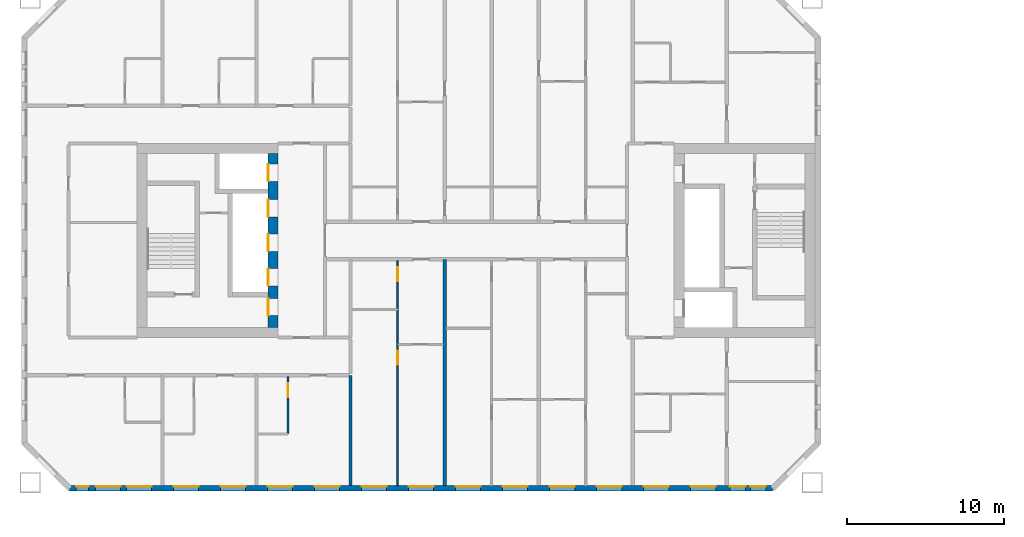
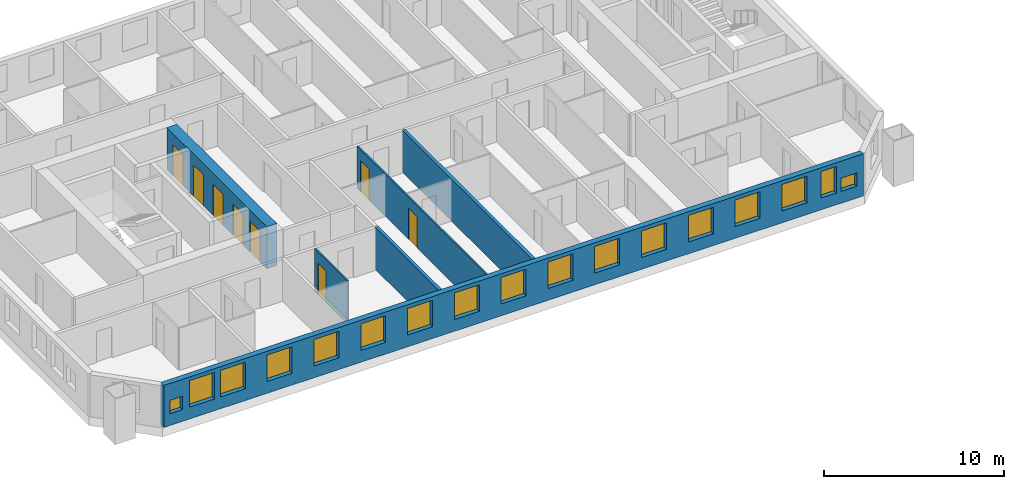
# One storey, part 3 of 16: 17 windows, 8 doors, 6 walls, 25 openings.
"""IFC4 building model written with IfcOpenShell, lengths in metres."""

from ifc_helpers import new_model, si_unit, direction, frame, frame_2d, origin, place, context, subcontext, project, spatial, rectangle, extrude, material, layer, layer_set, type_object, element, fill, save


model = new_model("IFC4")

# Units and contexts
model_context = context("Model", 3, precision=1e-05, world=origin(), true_north=direction((0.0, 1.0)))
body_context = subcontext(model_context, "Body", "Model", "MODEL_VIEW")
ifc_project = project(units=[si_unit("LENGTHUNIT", "METRE"), si_unit("AREAUNIT", "SQUARE_METRE"), si_unit("VOLUMEUNIT", "CUBIC_METRE"), si_unit("PLANEANGLEUNIT", "RADIAN"), si_unit("MASSUNIT", "GRAM", prefix="KILO")], contexts=[model_context])

# Site, building, storey
site_placement = place(None, origin())
site = spatial("IfcSite", under=ifc_project, at=site_placement, CompositionType="ELEMENT")
building_placement = place(site_placement, origin())
building = spatial("IfcBuilding", under=site, at=building_placement, Name="Tuart Gate Housing", CompositionType="ELEMENT")
storey_placement = place(building_placement, frame((0.0, 0.0, 96.39990234375)))
storey = spatial("IfcBuildingStorey", under=building, at=storey_placement, Name="L26", CompositionType="ELEMENT", Elevation=96.39990234375)

# Wall, openings, windows
ifc_material_1 = material(Name="Brick", Category="masonry")
ifc_layer_1 = layer(ifc_material_1, 0.360107421875)
ifc_layer_set_1 = layer_set([ifc_layer_1], Name="Brick pier and spandrel wall 360")
wall_type_1 = type_object("IfcWallType", Name="Brick pier and spandrel wall 360", PredefinedType="STANDARD", material=ifc_layer_set_1)
wall_1_placement = place(storey_placement, frame((28.07470703125, 54.179931640625, 0.0), z_axis=(0.0, 0.0, 1.0), x_axis=(1.0, 0.0, 0.0)))
wall_1 = element("IfcWall", 1, at=wall_1_placement, inside=storey, type_object=wall_type_1, Name="External wall A-S L26", PredefinedType="STANDARD", context=body_context, shape_type="SweptSolid", body=[
    extrude(rectangle(XDim=44.850830078125, YDim=0.360107421875, at=frame_2d((22.42529296875, 0.0))), origin(), (0.0, 0.0, 1.0), 2.85009765625),
])
opening_1_placement = place(wall_1_placement, frame((0.39990234375, 0.0, 0.800048828125)))
opening_1 = element("IfcOpeningElement", 2, at=opening_1_placement, cuts=wall_1, Name="Opening W1V", PredefinedType="OPENING", context=body_context, shape_type="SweptSolid", body=[
    extrude(rectangle(XDim=0.800048828125, YDim=0.89990234375, at=frame_2d((0.39990234375, 0.449951171875))), frame((0.0, 0.18994140625, 0.0), z_axis=(0.0, -1.0, 0.0), x_axis=(1.0, 0.0, 0.0)), (0.0, 0.0, 1.0), 0.380126953125),
])
opening_2_placement = place(wall_1_placement, frame((3.62548828125, 0.0, 0.800048828125)))
opening_2 = element("IfcOpeningElement", 3, at=opening_2_placement, cuts=wall_1, Name="Opening W1", PredefinedType="OPENING", context=body_context, shape_type="SweptSolid", body=[
    extrude(rectangle(XDim=1.60009765625, YDim=1.800048828125, at=frame_2d((0.800048828125, 0.89990234375))), frame((0.0, 0.18994140625, 0.0), z_axis=(0.0, -1.0, 0.0), x_axis=(1.0, 0.0, 0.0)), (0.0, 0.0, 1.0), 0.380126953125),
])
opening_3_placement = place(wall_1_placement, frame((6.62548828125, 0.0, 0.800048828125)))
opening_3 = element("IfcOpeningElement", 4, at=opening_3_placement, cuts=wall_1, Name="Opening W1", PredefinedType="OPENING", context=body_context, shape_type="SweptSolid", body=[
    extrude(rectangle(XDim=1.60009765625, YDim=1.800048828125, at=frame_2d((0.800048828125, 0.89990234375))), frame((0.0, 0.18994140625, 0.0), z_axis=(0.0, -1.0, 0.0), x_axis=(1.0, 0.0, 0.0)), (0.0, 0.0, 1.0), 0.380126953125),
])
opening_4_placement = place(wall_1_placement, frame((9.62548828125, 0.0, 0.800048828125)))
opening_4 = element("IfcOpeningElement", 5, at=opening_4_placement, cuts=wall_1, Name="Opening W1", PredefinedType="OPENING", context=body_context, shape_type="SweptSolid", body=[
    extrude(rectangle(XDim=1.60009765625, YDim=1.800048828125, at=frame_2d((0.800048828125, 0.89990234375))), frame((0.0, 0.18994140625, 0.0), z_axis=(0.0, -1.0, 0.0), x_axis=(1.0, 0.0, 0.0)), (0.0, 0.0, 1.0), 0.380126953125),
])
opening_5_placement = place(wall_1_placement, frame((12.62548828125, 0.0, 0.800048828125)))
opening_5 = element("IfcOpeningElement", 6, at=opening_5_placement, cuts=wall_1, Name="Opening W1", PredefinedType="OPENING", context=body_context, shape_type="SweptSolid", body=[
    extrude(rectangle(XDim=1.60009765625, YDim=1.800048828125, at=frame_2d((0.800048828125, 0.89990234375))), frame((0.0, 0.18994140625, 0.0), z_axis=(0.0, -1.0, 0.0), x_axis=(1.0, 0.0, 0.0)), (0.0, 0.0, 1.0), 0.380126953125),
])
opening_6_placement = place(wall_1_placement, frame((15.62548828125, 0.0, 0.800048828125)))
opening_6 = element("IfcOpeningElement", 7, at=opening_6_placement, cuts=wall_1, Name="Opening W1", PredefinedType="OPENING", context=body_context, shape_type="SweptSolid", body=[
    extrude(rectangle(XDim=1.60009765625, YDim=1.800048828125, at=frame_2d((0.800048828125, 0.89990234375))), frame((0.0, 0.18994140625, 0.0), z_axis=(0.0, -1.0, 0.0), x_axis=(1.0, 0.0, 0.0)), (0.0, 0.0, 1.0), 0.380126953125),
])
opening_7_placement = place(wall_1_placement, frame((18.62548828125, 0.0, 0.800048828125)))
opening_7 = element("IfcOpeningElement", 8, at=opening_7_placement, cuts=wall_1, Name="Opening W1", PredefinedType="OPENING", context=body_context, shape_type="SweptSolid", body=[
    extrude(rectangle(XDim=1.60009765625, YDim=1.800048828125, at=frame_2d((0.800048828125, 0.89990234375))), frame((0.0, 0.18994140625, 0.0), z_axis=(0.0, -1.0, 0.0), x_axis=(1.0, 0.0, 0.0)), (0.0, 0.0, 1.0), 0.380126953125),
])
opening_8_placement = place(wall_1_placement, frame((21.62548828125, 0.0, 0.800048828125)))
opening_8 = element("IfcOpeningElement", 9, at=opening_8_placement, cuts=wall_1, Name="Opening W1", PredefinedType="OPENING", context=body_context, shape_type="SweptSolid", body=[
    extrude(rectangle(XDim=1.60009765625, YDim=1.800048828125, at=frame_2d((0.800048828125, 0.89990234375))), frame((0.0, 0.18994140625, 0.0), z_axis=(0.0, -1.0, 0.0), x_axis=(1.0, 0.0, 0.0)), (0.0, 0.0, 1.0), 0.380126953125),
])
opening_9_placement = place(wall_1_placement, frame((24.62548828125, 0.0, 0.800048828125)))
opening_9 = element("IfcOpeningElement", 10, at=opening_9_placement, cuts=wall_1, Name="Opening W1", PredefinedType="OPENING", context=body_context, shape_type="SweptSolid", body=[
    extrude(rectangle(XDim=1.60009765625, YDim=1.800048828125, at=frame_2d((0.800048828125, 0.89990234375))), frame((0.0, 0.18994140625, 0.0), z_axis=(0.0, -1.0, 0.0), x_axis=(1.0, 0.0, 0.0)), (0.0, 0.0, 1.0), 0.380126953125),
])
opening_10_placement = place(wall_1_placement, frame((27.62548828125, 0.0, 0.800048828125)))
opening_10 = element("IfcOpeningElement", 11, at=opening_10_placement, cuts=wall_1, Name="Opening W1", PredefinedType="OPENING", context=body_context, shape_type="SweptSolid", body=[
    extrude(rectangle(XDim=1.60009765625, YDim=1.800048828125, at=frame_2d((0.800048828125, 0.89990234375))), frame((0.0, 0.18994140625, 0.0), z_axis=(0.0, -1.0, 0.0), x_axis=(1.0, 0.0, 0.0)), (0.0, 0.0, 1.0), 0.380126953125),
])
opening_11_placement = place(wall_1_placement, frame((30.62548828125, 0.0, 0.800048828125)))
opening_11 = element("IfcOpeningElement", 12, at=opening_11_placement, cuts=wall_1, Name="Opening W1", PredefinedType="OPENING", context=body_context, shape_type="SweptSolid", body=[
    extrude(rectangle(XDim=1.60009765625, YDim=1.800048828125, at=frame_2d((0.800048828125, 0.89990234375))), frame((0.0, 0.18994140625, 0.0), z_axis=(0.0, -1.0, 0.0), x_axis=(1.0, 0.0, 0.0)), (0.0, 0.0, 1.0), 0.380126953125),
])
opening_12_placement = place(wall_1_placement, frame((33.62548828125, 0.0, 0.800048828125)))
opening_12 = element("IfcOpeningElement", 13, at=opening_12_placement, cuts=wall_1, Name="Opening W1", PredefinedType="OPENING", context=body_context, shape_type="SweptSolid", body=[
    extrude(rectangle(XDim=1.60009765625, YDim=1.800048828125, at=frame_2d((0.800048828125, 0.89990234375))), frame((0.0, 0.18994140625, 0.0), z_axis=(0.0, -1.0, 0.0), x_axis=(1.0, 0.0, 0.0)), (0.0, 0.0, 1.0), 0.380126953125),
])
opening_13_placement = place(wall_1_placement, frame((36.62548828125, 0.0, 0.800048828125)))
opening_13 = element("IfcOpeningElement", 14, at=opening_13_placement, cuts=wall_1, Name="Opening W1", PredefinedType="OPENING", context=body_context, shape_type="SweptSolid", body=[
    extrude(rectangle(XDim=1.60009765625, YDim=1.800048828125, at=frame_2d((0.800048828125, 0.89990234375))), frame((0.0, 0.18994140625, 0.0), z_axis=(0.0, -1.0, 0.0), x_axis=(1.0, 0.0, 0.0)), (0.0, 0.0, 1.0), 0.380126953125),
])
opening_14_placement = place(wall_1_placement, frame((39.62548828125, 0.0, 0.800048828125)))
opening_14 = element("IfcOpeningElement", 15, at=opening_14_placement, cuts=wall_1, Name="Opening W1", PredefinedType="OPENING", context=body_context, shape_type="SweptSolid", body=[
    extrude(rectangle(XDim=1.60009765625, YDim=1.800048828125, at=frame_2d((0.800048828125, 0.89990234375))), frame((0.0, 0.18994140625, 0.0), z_axis=(0.0, -1.0, 0.0), x_axis=(1.0, 0.0, 0.0)), (0.0, 0.0, 1.0), 0.380126953125),
])
opening_15_placement = place(wall_1_placement, frame((42.12548828125, 0.0, 0.800048828125)))
opening_15 = element("IfcOpeningElement", 16, at=opening_15_placement, cuts=wall_1, Name="Opening W1C", PredefinedType="OPENING", context=body_context, shape_type="SweptSolid", body=[
    extrude(rectangle(XDim=1.0, YDim=1.800048828125, at=frame_2d((0.5, 0.89990234375))), frame((0.0, 0.18994140625, 0.0), z_axis=(0.0, -1.0, 0.0), x_axis=(1.0, 0.0, 0.0)), (0.0, 0.0, 1.0), 0.380126953125),
])
opening_16_placement = place(wall_1_placement, frame((1.64990234375, 0.0, 0.800048828125)))
opening_16 = element("IfcOpeningElement", 17, at=opening_16_placement, cuts=wall_1, Name="Opening W1", PredefinedType="OPENING", context=body_context, shape_type="SweptSolid", body=[
    extrude(rectangle(XDim=1.60009765625, YDim=1.800048828125, at=frame_2d((0.800048828125, 0.89990234375))), frame((0.0, 0.18994140625, 0.0), z_axis=(0.0, -1.0, 0.0), x_axis=(1.0, 0.0, 0.0)), (0.0, 0.0, 1.0), 0.380126953125),
])
opening_17_placement = place(wall_1_placement, frame((43.42529296875, 0.0, 0.800048828125)))
opening_17 = element("IfcOpeningElement", 18, at=opening_17_placement, cuts=wall_1, Name="Opening W1U", PredefinedType="OPENING", context=body_context, shape_type="SweptSolid", body=[
    extrude(rectangle(XDim=1.0, YDim=0.89990234375, at=frame_2d((0.5, 0.449951171875))), frame((0.0, 0.18994140625, 0.0), z_axis=(0.0, -1.0, 0.0), x_axis=(1.0, 0.0, 0.0)), (0.0, 0.0, 1.0), 0.380126953125),
])
ifc_material_2 = material(Name="Aluminium frame with clear glass", Category="aluminium")
window_type_1 = type_object("IfcWindowType", Name="Punched window 1000 x 1800", PartitioningType="SINGLE_PANEL", PredefinedType="WINDOW", material=ifc_material_2)
window_1_placement = place(opening_15_placement, origin())
window_1 = element("IfcWindow", 19, at=window_1_placement, inside=storey, type_object=window_type_1, Name="Window W1C", OverallHeight=1.800048828125, OverallWidth=1.0, PartitioningType="SINGLE_PANEL", PredefinedType="WINDOW", context=body_context, shape_type="SweptSolid", body=[
    extrude(rectangle(XDim=1.0, YDim=1.800048828125, at=frame_2d((0.5, 0.89990234375))), frame((0.0, 0.150146484375, 0.0), z_axis=(0.0, -1.0, 0.0), x_axis=(1.0, 0.0, 0.0)), (0.0, 0.0, 1.0), 0.06005859375),
])
fill(opening_15, window_1)
ifc_material_3 = material(Name="Aluminium frame with clear glass", Category="aluminium")
window_type_2 = type_object("IfcWindowType", Name="Punched window 1000 x 900", PartitioningType="SINGLE_PANEL", PredefinedType="WINDOW", material=ifc_material_3)
window_2_placement = place(opening_17_placement, origin())
window_2 = element("IfcWindow", 20, at=window_2_placement, inside=storey, type_object=window_type_2, Name="Window W1U", OverallHeight=0.89990234375, OverallWidth=1.0, PartitioningType="SINGLE_PANEL", PredefinedType="WINDOW", context=body_context, shape_type="SweptSolid", body=[
    extrude(rectangle(XDim=1.0, YDim=0.89990234375, at=frame_2d((0.5, 0.449951171875))), frame((0.0, 0.150146484375, 0.0), z_axis=(0.0, -1.0, 0.0), x_axis=(1.0, 0.0, 0.0)), (0.0, 0.0, 1.0), 0.06005859375),
])
fill(opening_17, window_2)
ifc_material_4 = material(Name="Aluminium frame with clear glass", Category="aluminium")
window_type_3 = type_object("IfcWindowType", Name="Punched window 1600 x 1800", PartitioningType="SINGLE_PANEL", PredefinedType="WINDOW", material=ifc_material_4)
window_3_placement = place(opening_2_placement, origin())
window_3 = element("IfcWindow", 21, at=window_3_placement, inside=storey, type_object=window_type_3, Name="Window W1", OverallHeight=1.800048828125, OverallWidth=1.60009765625, PartitioningType="SINGLE_PANEL", PredefinedType="WINDOW", context=body_context, shape_type="SweptSolid", body=[
    extrude(rectangle(XDim=1.60009765625, YDim=1.800048828125, at=frame_2d((0.800048828125, 0.89990234375))), frame((0.0, 0.150146484375, 0.0), z_axis=(0.0, -1.0, 0.0), x_axis=(1.0, 0.0, 0.0)), (0.0, 0.0, 1.0), 0.06005859375),
])
fill(opening_2, window_3)
window_4_placement = place(opening_3_placement, origin())
window_4 = element("IfcWindow", 22, at=window_4_placement, inside=storey, type_object=window_type_3, Name="Window W1", OverallHeight=1.800048828125, OverallWidth=1.60009765625, PartitioningType="SINGLE_PANEL", PredefinedType="WINDOW", context=body_context, shape_type="SweptSolid", body=[
    extrude(rectangle(XDim=1.60009765625, YDim=1.800048828125, at=frame_2d((0.800048828125, 0.89990234375))), frame((0.0, 0.150146484375, 0.0), z_axis=(0.0, -1.0, 0.0), x_axis=(1.0, 0.0, 0.0)), (0.0, 0.0, 1.0), 0.06005859375),
])
fill(opening_3, window_4)
window_5_placement = place(opening_4_placement, origin())
window_5 = element("IfcWindow", 23, at=window_5_placement, inside=storey, type_object=window_type_3, Name="Window W1", OverallHeight=1.800048828125, OverallWidth=1.60009765625, PartitioningType="SINGLE_PANEL", PredefinedType="WINDOW", context=body_context, shape_type="SweptSolid", body=[
    extrude(rectangle(XDim=1.60009765625, YDim=1.800048828125, at=frame_2d((0.800048828125, 0.89990234375))), frame((0.0, 0.150146484375, 0.0), z_axis=(0.0, -1.0, 0.0), x_axis=(1.0, 0.0, 0.0)), (0.0, 0.0, 1.0), 0.06005859375),
])
fill(opening_4, window_5)
window_6_placement = place(opening_5_placement, origin())
window_6 = element("IfcWindow", 24, at=window_6_placement, inside=storey, type_object=window_type_3, Name="Window W1", OverallHeight=1.800048828125, OverallWidth=1.60009765625, PartitioningType="SINGLE_PANEL", PredefinedType="WINDOW", context=body_context, shape_type="SweptSolid", body=[
    extrude(rectangle(XDim=1.60009765625, YDim=1.800048828125, at=frame_2d((0.800048828125, 0.89990234375))), frame((0.0, 0.150146484375, 0.0), z_axis=(0.0, -1.0, 0.0), x_axis=(1.0, 0.0, 0.0)), (0.0, 0.0, 1.0), 0.06005859375),
])
fill(opening_5, window_6)
window_7_placement = place(opening_6_placement, origin())
window_7 = element("IfcWindow", 25, at=window_7_placement, inside=storey, type_object=window_type_3, Name="Window W1", OverallHeight=1.800048828125, OverallWidth=1.60009765625, PartitioningType="SINGLE_PANEL", PredefinedType="WINDOW", context=body_context, shape_type="SweptSolid", body=[
    extrude(rectangle(XDim=1.60009765625, YDim=1.800048828125, at=frame_2d((0.800048828125, 0.89990234375))), frame((0.0, 0.150146484375, 0.0), z_axis=(0.0, -1.0, 0.0), x_axis=(1.0, 0.0, 0.0)), (0.0, 0.0, 1.0), 0.06005859375),
])
fill(opening_6, window_7)
window_8_placement = place(opening_7_placement, origin())
window_8 = element("IfcWindow", 26, at=window_8_placement, inside=storey, type_object=window_type_3, Name="Window W1", OverallHeight=1.800048828125, OverallWidth=1.60009765625, PartitioningType="SINGLE_PANEL", PredefinedType="WINDOW", context=body_context, shape_type="SweptSolid", body=[
    extrude(rectangle(XDim=1.60009765625, YDim=1.800048828125, at=frame_2d((0.800048828125, 0.89990234375))), frame((0.0, 0.150146484375, 0.0), z_axis=(0.0, -1.0, 0.0), x_axis=(1.0, 0.0, 0.0)), (0.0, 0.0, 1.0), 0.06005859375),
])
fill(opening_7, window_8)
window_9_placement = place(opening_8_placement, origin())
window_9 = element("IfcWindow", 27, at=window_9_placement, inside=storey, type_object=window_type_3, Name="Window W1", OverallHeight=1.800048828125, OverallWidth=1.60009765625, PartitioningType="SINGLE_PANEL", PredefinedType="WINDOW", context=body_context, shape_type="SweptSolid", body=[
    extrude(rectangle(XDim=1.60009765625, YDim=1.800048828125, at=frame_2d((0.800048828125, 0.89990234375))), frame((0.0, 0.150146484375, 0.0), z_axis=(0.0, -1.0, 0.0), x_axis=(1.0, 0.0, 0.0)), (0.0, 0.0, 1.0), 0.06005859375),
])
fill(opening_8, window_9)
window_10_placement = place(opening_9_placement, origin())
window_10 = element("IfcWindow", 28, at=window_10_placement, inside=storey, type_object=window_type_3, Name="Window W1", OverallHeight=1.800048828125, OverallWidth=1.60009765625, PartitioningType="SINGLE_PANEL", PredefinedType="WINDOW", context=body_context, shape_type="SweptSolid", body=[
    extrude(rectangle(XDim=1.60009765625, YDim=1.800048828125, at=frame_2d((0.800048828125, 0.89990234375))), frame((0.0, 0.150146484375, 0.0), z_axis=(0.0, -1.0, 0.0), x_axis=(1.0, 0.0, 0.0)), (0.0, 0.0, 1.0), 0.06005859375),
])
fill(opening_9, window_10)
window_11_placement = place(opening_10_placement, origin())
window_11 = element("IfcWindow", 29, at=window_11_placement, inside=storey, type_object=window_type_3, Name="Window W1", OverallHeight=1.800048828125, OverallWidth=1.60009765625, PartitioningType="SINGLE_PANEL", PredefinedType="WINDOW", context=body_context, shape_type="SweptSolid", body=[
    extrude(rectangle(XDim=1.60009765625, YDim=1.800048828125, at=frame_2d((0.800048828125, 0.89990234375))), frame((0.0, 0.150146484375, 0.0), z_axis=(0.0, -1.0, 0.0), x_axis=(1.0, 0.0, 0.0)), (0.0, 0.0, 1.0), 0.06005859375),
])
fill(opening_10, window_11)
window_12_placement = place(opening_11_placement, origin())
window_12 = element("IfcWindow", 30, at=window_12_placement, inside=storey, type_object=window_type_3, Name="Window W1", OverallHeight=1.800048828125, OverallWidth=1.60009765625, PartitioningType="SINGLE_PANEL", PredefinedType="WINDOW", context=body_context, shape_type="SweptSolid", body=[
    extrude(rectangle(XDim=1.60009765625, YDim=1.800048828125, at=frame_2d((0.800048828125, 0.89990234375))), frame((0.0, 0.150146484375, 0.0), z_axis=(0.0, -1.0, 0.0), x_axis=(1.0, 0.0, 0.0)), (0.0, 0.0, 1.0), 0.06005859375),
])
fill(opening_11, window_12)
window_13_placement = place(opening_12_placement, origin())
window_13 = element("IfcWindow", 31, at=window_13_placement, inside=storey, type_object=window_type_3, Name="Window W1", OverallHeight=1.800048828125, OverallWidth=1.60009765625, PartitioningType="SINGLE_PANEL", PredefinedType="WINDOW", context=body_context, shape_type="SweptSolid", body=[
    extrude(rectangle(XDim=1.60009765625, YDim=1.800048828125, at=frame_2d((0.800048828125, 0.89990234375))), frame((0.0, 0.150146484375, 0.0), z_axis=(0.0, -1.0, 0.0), x_axis=(1.0, 0.0, 0.0)), (0.0, 0.0, 1.0), 0.06005859375),
])
fill(opening_12, window_13)
window_14_placement = place(opening_13_placement, origin())
window_14 = element("IfcWindow", 32, at=window_14_placement, inside=storey, type_object=window_type_3, Name="Window W1", OverallHeight=1.800048828125, OverallWidth=1.60009765625, PartitioningType="SINGLE_PANEL", PredefinedType="WINDOW", context=body_context, shape_type="SweptSolid", body=[
    extrude(rectangle(XDim=1.60009765625, YDim=1.800048828125, at=frame_2d((0.800048828125, 0.89990234375))), frame((0.0, 0.150146484375, 0.0), z_axis=(0.0, -1.0, 0.0), x_axis=(1.0, 0.0, 0.0)), (0.0, 0.0, 1.0), 0.06005859375),
])
fill(opening_13, window_14)
window_15_placement = place(opening_14_placement, origin())
window_15 = element("IfcWindow", 33, at=window_15_placement, inside=storey, type_object=window_type_3, Name="Window W1", OverallHeight=1.800048828125, OverallWidth=1.60009765625, PartitioningType="SINGLE_PANEL", PredefinedType="WINDOW", context=body_context, shape_type="SweptSolid", body=[
    extrude(rectangle(XDim=1.60009765625, YDim=1.800048828125, at=frame_2d((0.800048828125, 0.89990234375))), frame((0.0, 0.150146484375, 0.0), z_axis=(0.0, -1.0, 0.0), x_axis=(1.0, 0.0, 0.0)), (0.0, 0.0, 1.0), 0.06005859375),
])
fill(opening_14, window_15)
window_16_placement = place(opening_16_placement, origin())
window_16 = element("IfcWindow", 34, at=window_16_placement, inside=storey, type_object=window_type_3, Name="Window W1", OverallHeight=1.800048828125, OverallWidth=1.60009765625, PartitioningType="SINGLE_PANEL", PredefinedType="WINDOW", context=body_context, shape_type="SweptSolid", body=[
    extrude(rectangle(XDim=1.60009765625, YDim=1.800048828125, at=frame_2d((0.800048828125, 0.89990234375))), frame((0.0, 0.150146484375, 0.0), z_axis=(0.0, -1.0, 0.0), x_axis=(1.0, 0.0, 0.0)), (0.0, 0.0, 1.0), 0.06005859375),
])
fill(opening_16, window_16)
ifc_material_5 = material(Name="Aluminium frame with clear glass", Category="aluminium")
window_type_4 = type_object("IfcWindowType", Name="Punched window 800 x 900", PartitioningType="SINGLE_PANEL", PredefinedType="WINDOW", material=ifc_material_5)
window_17_placement = place(opening_1_placement, origin())
window_17 = element("IfcWindow", 35, at=window_17_placement, inside=storey, type_object=window_type_4, Name="Window W1V", OverallHeight=0.89990234375, OverallWidth=0.800048828125, PartitioningType="SINGLE_PANEL", PredefinedType="WINDOW", context=body_context, shape_type="SweptSolid", body=[
    extrude(rectangle(XDim=0.800048828125, YDim=0.89990234375, at=frame_2d((0.39990234375, 0.449951171875))), frame((0.0, 0.150146484375, 0.0), z_axis=(0.0, -1.0, 0.0), x_axis=(1.0, 0.0, 0.0)), (0.0, 0.0, 1.0), 0.06005859375),
])
fill(opening_1, window_17)

# Wall, openings, doors
ifc_material_6 = material(Name="Concrete C50", Category="concrete")
ifc_layer_2 = layer(ifc_material_6, 0.64990234375)
ifc_layer_set_2 = layer_set([ifc_layer_2], Name="Core wall 650 C50")
wall_type_2 = type_object("IfcWallType", Name="Core wall 650 C50", PredefinedType="SHEAR", material=ifc_layer_set_2)
wall_2_placement = place(storey_placement, frame((41.034912109375, 75.550048828125, 0.0), z_axis=(0.0, 0.0, 1.0), x_axis=(0.0, -1.0, 0.0)))
wall_2 = element("IfcWall", 36, at=wall_2_placement, inside=storey, type_object=wall_type_2, Name="Core wall AK front", PredefinedType="SHEAR", context=body_context, shape_type="SweptSolid", body=[
    extrude(rectangle(XDim=11.10009765625, YDim=0.64990234375, at=frame_2d((5.550048828125, 0.0))), origin(), (0.0, 0.0, 1.0), 2.85009765625),
])
opening_18_placement = place(wall_2_placement, frame((0.675048828125, 0.0, 0.0)))
opening_18 = element("IfcOpeningElement", 37, at=opening_18_placement, cuts=wall_2, Name="Opening LD-FA2", PredefinedType="OPENING", context=body_context, shape_type="SweptSolid", body=[
    extrude(rectangle(XDim=1.10009765625, YDim=2.10009765625, at=frame_2d((0.550048828125, 1.050048828125))), frame((0.0, 0.3349609375, 0.0), z_axis=(0.0, -1.0, 0.0), x_axis=(1.0, 0.0, 0.0)), (0.0, 0.0, 1.0), 0.669921875),
])
opening_19_placement = place(wall_2_placement, frame((2.949951171875, 0.0, 0.0)))
opening_19 = element("IfcOpeningElement", 38, at=opening_19_placement, cuts=wall_2, Name="Opening LD-LA4", PredefinedType="OPENING", context=body_context, shape_type="SweptSolid", body=[
    extrude(rectangle(XDim=1.10009765625, YDim=2.10009765625, at=frame_2d((0.550048828125, 1.050048828125))), frame((0.0, 0.3349609375, 0.0), z_axis=(0.0, -1.0, 0.0), x_axis=(1.0, 0.0, 0.0)), (0.0, 0.0, 1.0), 0.669921875),
])
opening_20_placement = place(wall_2_placement, frame((5.14990234375, 0.0, 0.0)))
opening_20 = element("IfcOpeningElement", 39, at=opening_20_placement, cuts=wall_2, Name="Opening LD-LA5", PredefinedType="OPENING", context=body_context, shape_type="SweptSolid", body=[
    extrude(rectangle(XDim=1.10009765625, YDim=2.10009765625, at=frame_2d((0.550048828125, 1.050048828125))), frame((0.0, 0.3349609375, 0.0), z_axis=(0.0, -1.0, 0.0), x_axis=(1.0, 0.0, 0.0)), (0.0, 0.0, 1.0), 0.669921875),
])
opening_21_placement = place(wall_2_placement, frame((7.35009765625, 0.0, 0.0)))
opening_21 = element("IfcOpeningElement", 40, at=opening_21_placement, cuts=wall_2, Name="Opening LD-LA6", PredefinedType="OPENING", context=body_context, shape_type="SweptSolid", body=[
    extrude(rectangle(XDim=1.10009765625, YDim=2.10009765625, at=frame_2d((0.550048828125, 1.050048828125))), frame((0.0, 0.3349609375, 0.0), z_axis=(0.0, -1.0, 0.0), x_axis=(1.0, 0.0, 0.0)), (0.0, 0.0, 1.0), 0.669921875),
])
opening_22_placement = place(wall_2_placement, frame((9.25, 0.0, 0.0)))
opening_22 = element("IfcOpeningElement", 41, at=opening_22_placement, cuts=wall_2, Name="Opening D1094", PredefinedType="OPENING", context=body_context, shape_type="SweptSolid", body=[
    extrude(rectangle(XDim=1.10009765625, YDim=2.10009765625, at=frame_2d((0.550048828125, 1.050048828125))), frame((0.0, 0.3349609375, 0.0), z_axis=(0.0, -1.0, 0.0), x_axis=(1.0, 0.0, 0.0)), (0.0, 0.0, 1.0), 0.669921875),
])
ifc_material_7 = material(Name="Stainless steel", Category="steel")
door_type_1 = type_object("IfcDoorType", Name="Landing door 1100 x 2100", OperationType="DOUBLE_DOOR_SLIDING", PredefinedType="DOOR", material=ifc_material_7)
door_1_placement = place(opening_18_placement, origin())
door_1 = element("IfcDoor", 42, at=door_1_placement, inside=storey, type_object=door_type_1, Name="Lift landing door FA2", OperationType="DOUBLE_DOOR_SLIDING", OverallHeight=2.10009765625, OverallWidth=1.10009765625, PredefinedType="DOOR", context=body_context, shape_type="SweptSolid", body=[
    extrude(rectangle(XDim=1.10009765625, YDim=2.10009765625, at=frame_2d((0.550048828125, 1.050048828125))), frame((0.0, -0.259765625, 0.0), z_axis=(0.0, -1.0, 0.0), x_axis=(1.0, 0.0, 0.0)), (0.0, 0.0, 1.0), 0.050048828125),
])
fill(opening_18, door_1)
door_2_placement = place(opening_19_placement, origin())
door_2 = element("IfcDoor", 43, at=door_2_placement, inside=storey, type_object=door_type_1, Name="Lift landing door LA4", OperationType="DOUBLE_DOOR_SLIDING", OverallHeight=2.10009765625, OverallWidth=1.10009765625, PredefinedType="DOOR", context=body_context, shape_type="SweptSolid", body=[
    extrude(rectangle(XDim=1.10009765625, YDim=2.10009765625, at=frame_2d((0.550048828125, 1.050048828125))), frame((0.0, -0.259765625, 0.0), z_axis=(0.0, -1.0, 0.0), x_axis=(1.0, 0.0, 0.0)), (0.0, 0.0, 1.0), 0.050048828125),
])
fill(opening_19, door_2)
door_3_placement = place(opening_20_placement, origin())
door_3 = element("IfcDoor", 44, at=door_3_placement, inside=storey, type_object=door_type_1, Name="Lift landing door LA5", OperationType="DOUBLE_DOOR_SLIDING", OverallHeight=2.10009765625, OverallWidth=1.10009765625, PredefinedType="DOOR", context=body_context, shape_type="SweptSolid", body=[
    extrude(rectangle(XDim=1.10009765625, YDim=2.10009765625, at=frame_2d((0.550048828125, 1.050048828125))), frame((0.0, -0.259765625, 0.0), z_axis=(0.0, -1.0, 0.0), x_axis=(1.0, 0.0, 0.0)), (0.0, 0.0, 1.0), 0.050048828125),
])
fill(opening_20, door_3)
door_4_placement = place(opening_21_placement, origin())
door_4 = element("IfcDoor", 45, at=door_4_placement, inside=storey, type_object=door_type_1, Name="Lift landing door LA6", OperationType="DOUBLE_DOOR_SLIDING", OverallHeight=2.10009765625, OverallWidth=1.10009765625, PredefinedType="DOOR", context=body_context, shape_type="SweptSolid", body=[
    extrude(rectangle(XDim=1.10009765625, YDim=2.10009765625, at=frame_2d((0.550048828125, 1.050048828125))), frame((0.0, -0.259765625, 0.0), z_axis=(0.0, -1.0, 0.0), x_axis=(1.0, 0.0, 0.0)), (0.0, 0.0, 1.0), 0.050048828125),
])
fill(opening_21, door_4)
ifc_material_8 = material(Name="Steel fire door", Category="steel")
door_type_2 = type_object("IfcDoorType", Name="Lobby door 1100 x 2100 RH", OperationType="SINGLE_SWING_RIGHT", PredefinedType="DOOR", material=ifc_material_8)
door_5_placement = place(opening_22_placement, frame((1.10009765625, 0.0, 0.0), z_axis=(0.0, 0.0, 1.0), x_axis=(-1.0, 0.0, 0.0)))
door_5 = element("IfcDoor", 46, at=door_5_placement, inside=storey, type_object=door_type_2, Name="Lobby entry door AK.EN", OperationType="SINGLE_SWING_RIGHT", OverallHeight=2.10009765625, OverallWidth=1.10009765625, PredefinedType="DOOR", context=body_context, shape_type="SweptSolid", body=[
    extrude(rectangle(XDim=1.10009765625, YDim=2.10009765625, at=frame_2d((0.550048828125, 1.050048828125))), frame((0.0, 0.309814453125, 0.0), z_axis=(0.0, -1.0, 0.0), x_axis=(1.0, 0.0, 0.0)), (0.0, 0.0, 1.0), 0.050048828125),
])
fill(opening_22, door_5)

# Wall, opening, door
ifc_material_9 = material(Name="Gypsum board on steel studs", Category="steel")
ifc_layer_3 = layer(ifc_material_9, 0.10009765625)
ifc_layer_set_3 = layer_set([ifc_layer_3], Name="Partition 100")
wall_type_3 = type_object("IfcWallType", Name="Partition 100", PredefinedType="PARTITIONING", material=ifc_layer_set_3)
wall_3_placement = place(storey_placement, frame((42.0, 57.699951171875, 0.0), z_axis=(0.0, 0.0, 1.0), x_axis=(0.0, 1.0, 0.0)))
wall_3 = element("IfcWall", 47, at=wall_3_placement, inside=storey, type_object=wall_type_3, Name="Partition 100", PredefinedType="PARTITIONING", context=body_context, shape_type="SweptSolid", body=[
    extrude(rectangle(XDim=3.60009765625, YDim=0.10009765625, at=frame_2d((1.800048828125, 0.0))), origin(), (0.0, 0.0, 1.0), 2.85009765625),
])
opening_23_placement = place(wall_3_placement, frame((2.300048828125, 0.0, 0.0)))
opening_23 = element("IfcOpeningElement", 48, at=opening_23_placement, cuts=wall_3, Name="Opening D1122", PredefinedType="OPENING", context=body_context, shape_type="SweptSolid", body=[
    extrude(rectangle(XDim=0.89990234375, YDim=2.10009765625, at=frame_2d((0.449951171875, 1.050048828125))), frame((0.0, 0.06005859375, 0.0), z_axis=(0.0, -1.0, 0.0), x_axis=(1.0, 0.0, 0.0)), (0.0, 0.0, 1.0), 0.1201171875),
])
ifc_material_10 = material(Name="Timber door leaf in steel frame", Category="steel")
door_type_3 = type_object("IfcDoorType", Name="Bathroom door 900 RH", OperationType="SINGLE_SWING_RIGHT", PredefinedType="DOOR", material=ifc_material_10)
door_6_placement = place(opening_23_placement, origin())
door_6 = element("IfcDoor", 49, at=door_6_placement, inside=storey, type_object=door_type_3, Name="Bathroom door", OperationType="SINGLE_SWING_RIGHT", OverallHeight=2.10009765625, OverallWidth=0.89990234375, PredefinedType="DOOR", context=body_context, shape_type="SweptSolid", body=[
    extrude(rectangle(XDim=0.89990234375, YDim=2.10009765625, at=frame_2d((0.449951171875, 1.050048828125))), frame((0.0, 0.02490234375, 0.0), z_axis=(0.0, -1.0, 0.0), x_axis=(1.0, 0.0, 0.0)), (0.0, 0.0, 1.0), 0.050048828125),
])
fill(opening_23, door_6)

# Wall, openings, doors
wall_4_placement = place(storey_placement, frame((49.0, 54.360107421875, 0.0), z_axis=(0.0, 0.0, 1.0), x_axis=(0.0, 1.0, 0.0)))
wall_4 = element("IfcWall", 50, at=wall_4_placement, inside=storey, type_object=wall_type_3, Name="Partition 100", PredefinedType="PARTITIONING", context=body_context, shape_type="SweptSolid", body=[
    extrude(rectangle(XDim=14.33984375, YDim=0.10009765625, at=frame_2d((7.169921875, 0.0))), origin(), (0.0, 0.0, 1.0), 2.85009765625),
])
opening_24_placement = place(wall_4_placement, frame((7.699951171875, 0.0, 0.0)))
opening_24 = element("IfcOpeningElement", 51, at=opening_24_placement, cuts=wall_4, Name="Opening D1108", PredefinedType="OPENING", context=body_context, shape_type="SweptSolid", body=[
    extrude(rectangle(XDim=0.89990234375, YDim=2.10009765625, at=frame_2d((0.449951171875, 1.050048828125))), frame((0.0, 0.06005859375, 0.0), z_axis=(0.0, -1.0, 0.0), x_axis=(1.0, 0.0, 0.0)), (0.0, 0.0, 1.0), 0.1201171875),
])
opening_25_placement = place(wall_4_placement, frame((13.0400390625, 0.0, 0.0)))
opening_25 = element("IfcOpeningElement", 52, at=opening_25_placement, cuts=wall_4, Name="Opening D1107", PredefinedType="OPENING", context=body_context, shape_type="SweptSolid", body=[
    extrude(rectangle(XDim=0.89990234375, YDim=2.10009765625, at=frame_2d((0.449951171875, 1.050048828125))), frame((0.0, 0.06005859375, 0.0), z_axis=(0.0, -1.0, 0.0), x_axis=(1.0, 0.0, 0.0)), (0.0, 0.0, 1.0), 0.1201171875),
])
door_7_placement = place(opening_25_placement, origin())
door_7 = element("IfcDoor", 53, at=door_7_placement, inside=storey, type_object=door_type_3, Name="Bathroom door", OperationType="SINGLE_SWING_RIGHT", OverallHeight=2.10009765625, OverallWidth=0.89990234375, PredefinedType="DOOR", context=body_context, shape_type="SweptSolid", body=[
    extrude(rectangle(XDim=0.89990234375, YDim=2.10009765625, at=frame_2d((0.449951171875, 1.050048828125))), frame((0.0, 0.02490234375, 0.0), z_axis=(0.0, -1.0, 0.0), x_axis=(1.0, 0.0, 0.0)), (0.0, 0.0, 1.0), 0.050048828125),
])
fill(opening_25, door_7)
ifc_material_11 = material(Name="Timber door leaf in steel frame", Category="steel")
door_type_4 = type_object("IfcDoorType", Name="Internal door 900 RH", OperationType="SINGLE_SWING_RIGHT", PredefinedType="DOOR", material=ifc_material_11)
door_8_placement = place(opening_24_placement, origin())
door_8 = element("IfcDoor", 54, at=door_8_placement, inside=storey, type_object=door_type_4, Name="Internal door", OperationType="SINGLE_SWING_RIGHT", OverallHeight=2.10009765625, OverallWidth=0.89990234375, PredefinedType="DOOR", context=body_context, shape_type="SweptSolid", body=[
    extrude(rectangle(XDim=0.89990234375, YDim=2.10009765625, at=frame_2d((0.449951171875, 1.050048828125))), frame((0.0, 0.02490234375, 0.0), z_axis=(0.0, -1.0, 0.0), x_axis=(1.0, 0.0, 0.0)), (0.0, 0.0, 1.0), 0.050048828125),
])
fill(opening_24, door_8)

# Walls
ifc_material_12 = material(Name="Concrete C40", Category="concrete")
ifc_layer_4 = layer(ifc_material_12, 0.199951171875)
ifc_layer_set_4 = layer_set([ifc_layer_4], Name="Party wall concrete C40 200")
wall_type_4 = type_object("IfcWallType", Name="Party wall concrete C40 200", PredefinedType="SOLIDWALL", material=ifc_layer_set_4)
wall_5_placement = place(storey_placement, frame((46.0, 54.360107421875, 0.0), z_axis=(0.0, 0.0, 1.0), x_axis=(0.0, 1.0, 0.0)))
element("IfcWall", 55, at=wall_5_placement, inside=storey, type_object=wall_type_4, Name="Party wall concrete C40 200", PredefinedType="SOLIDWALL", context=body_context, shape_type="SweptSolid", body=[
    extrude(rectangle(XDim=7.039794921875, YDim=0.199951171875, at=frame_2d((3.52001953125, 0.0))), origin(), (0.0, 0.0, 1.0), 2.85009765625),
])
wall_6_placement = place(storey_placement, frame((52.0, 54.360107421875, 0.0), z_axis=(0.0, 0.0, 1.0), x_axis=(0.0, 1.0, 0.0)))
element("IfcWall", 56, at=wall_6_placement, inside=storey, type_object=wall_type_4, Name="Party wall concrete C40 200", PredefinedType="SOLIDWALL", context=body_context, shape_type="SweptSolid", body=[
    extrude(rectangle(XDim=14.43994140625, YDim=0.199951171875, at=frame_2d((7.219970703125, 0.0))), origin(), (0.0, 0.0, 1.0), 2.85009765625),
])

save(model, "model.ifc")
